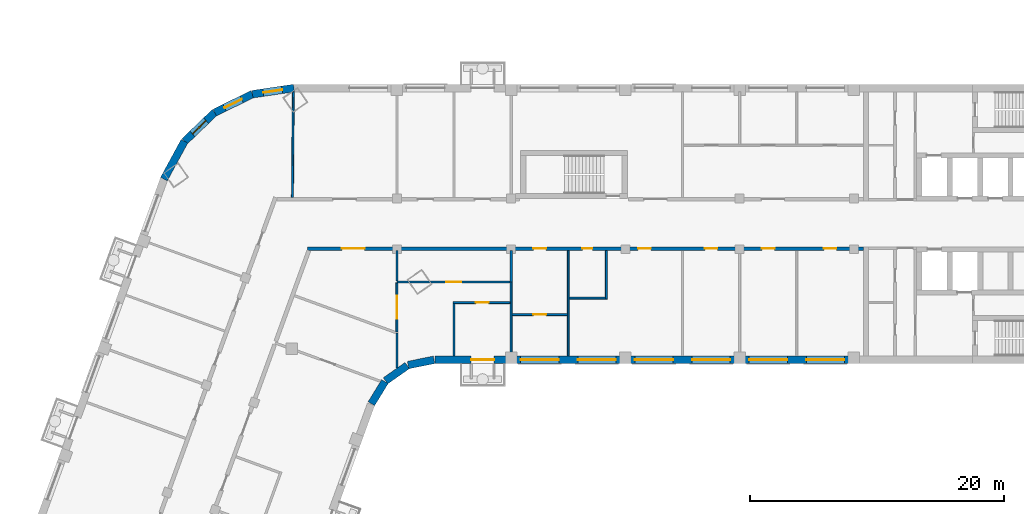
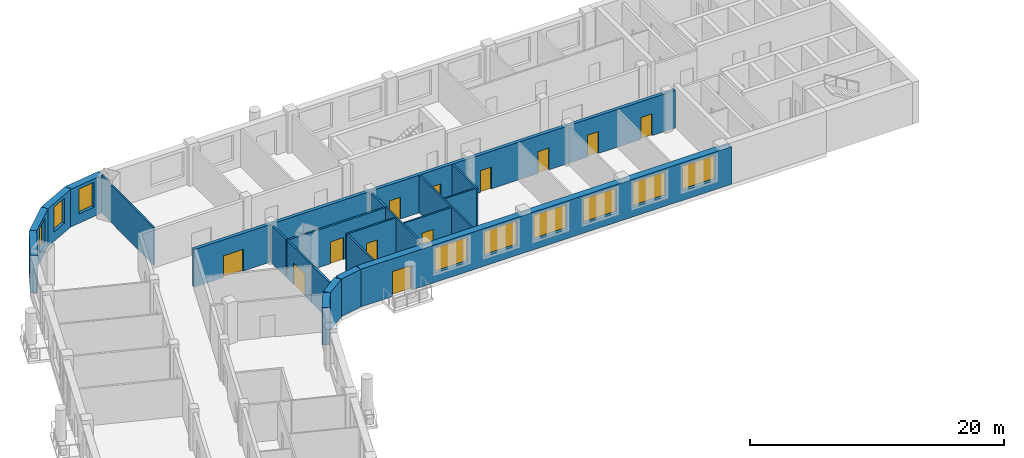
# One storey, part 4 of 16: 22 walls, 12 doors, 9 windows, 21 openings.
"""IFC4 building model written with IfcOpenShell, lengths in metres."""

from ifc_helpers import new_model, si_unit, direction, frame, frame_2d, origin, place, context, subcontext, project, spatial, rectangle, extrude, material, layer, layer_set, type_object, element, fill, save


model = new_model("IFC4")

# Units and contexts
model_context = context("Model", 3, precision=1e-05, world=origin(), true_north=direction((0.0, 1.0)))
body_context = subcontext(model_context, "Body", "Model", "MODEL_VIEW")
ifc_project = project(units=[si_unit("LENGTHUNIT", "METRE"), si_unit("AREAUNIT", "SQUARE_METRE"), si_unit("VOLUMEUNIT", "CUBIC_METRE"), si_unit("PLANEANGLEUNIT", "RADIAN"), si_unit("MASSUNIT", "GRAM", prefix="KILO")], contexts=[model_context])

# Site, building, storey
site_placement = place(None, origin())
site = spatial("IfcSite", under=ifc_project, at=site_placement, CompositionType="ELEMENT")
building_placement = place(site_placement, origin())
building = spatial("IfcBuilding", under=site, at=building_placement, Name="Skarvind Civic Tower", CompositionType="ELEMENT")
storey_placement = place(building_placement, frame((0.0, 0.0, 67.5)))
storey = spatial("IfcBuildingStorey", under=building, at=storey_placement, Name="L15", CompositionType="ELEMENT", Elevation=67.5)

# Walls
ifc_material_1 = material(Name="Acoustic gypsum board on steel studs", Category="steel")
ifc_layer_1 = layer(ifc_material_1, 0.175048828125)
ifc_layer_set_1 = layer_set([ifc_layer_1], Name="ACOUSTIC MEETING-ROOM PARTITION 175")
wall_type_1 = type_object("IfcWallType", Name="ACOUSTIC MEETING-ROOM PARTITION 175", PredefinedType="PARTITIONING", material=ifc_layer_set_1)
wall_1_placement = place(storey_placement, frame((54.25, 116.636962890625, 0.0), z_axis=(0.0, 0.0, 1.0), x_axis=(0.0, 1.0, 0.0)))
element("IfcWall", 1, at=wall_1_placement, inside=storey, type_object=wall_type_1, Name="Partition 15.020", PredefinedType="PARTITIONING", context=body_context, shape_type="SweptSolid", body=[
    extrude(rectangle(XDim=2.776123046875, YDim=0.175048828125, at=frame_2d((1.38818359375, 0.0))), origin(), (0.0, 0.0, 1.0), 3.625),
])
wall_2_placement = place(storey_placement, frame((54.25, 123.501953125, 0.0), z_axis=(0.0, 0.0, 1.0), x_axis=(0.0, 1.0, 0.0)))
element("IfcWall", 2, at=wall_2_placement, inside=storey, type_object=wall_type_1, Name="Partition 15.022", PredefinedType="PARTITIONING", context=body_context, shape_type="SweptSolid", body=[
    extrude(rectangle(XDim=2.39794921875, YDim=0.175048828125, at=frame_2d((1.198974609375, 0.0))), origin(), (0.0, 0.0, 1.0), 3.625),
])

# Wall, opening, door
wall_3_placement = place(storey_placement, frame((54.25, 123.429931640625, 0.0), z_axis=(0.0, 0.0, 1.0), x_axis=(1.0, 0.0, 0.0)))
wall_3 = element("IfcWall", 3, at=wall_3_placement, inside=storey, type_object=wall_type_1, Name="Partition 15.023", PredefinedType="PARTITIONING", context=body_context, shape_type="SweptSolid", body=[
    extrude(rectangle(XDim=8.912109375, YDim=0.175048828125, at=frame_2d((4.4560546875, 0.0))), origin(), (0.0, 0.0, 1.0), 3.625),
])
opening_1_placement = place(wall_3_placement, frame((3.865966796875, 0.0, 0.0)))
opening_1 = element("IfcOpeningElement", 4, at=opening_1_placement, cuts=wall_3, Name="Opening L15-D030", PredefinedType="OPENING", context=body_context, shape_type="SweptSolid", body=[
    extrude(rectangle(XDim=1.199951171875, YDim=2.10009765625, at=frame_2d((0.60009765625, 1.050048828125))), frame((0.0, 0.097412109375, 0.0), z_axis=(0.0, -1.0, 0.0), x_axis=(1.0, 0.0, 0.0)), (0.0, 0.0, 1.0), 0.195068359375),
])
ifc_material_2 = material(Name="Timber door leaf", Category="wood")
door_type_1 = type_object("IfcDoorType", Name="DOOR 1200X2100 DOUBLE TIMBER", OperationType="NOTDEFINED", PredefinedType="DOOR", material=ifc_material_2)
door_1_placement = place(opening_1_placement, origin())
door_1 = element("IfcDoor", 5, at=door_1_placement, inside=storey, type_object=door_type_1, Name="Door L15-D030", OperationType="DOUBLE_DOOR_SINGLE_SWING", OverallHeight=2.10009765625, OverallWidth=1.199951171875, PredefinedType="DOOR", context=body_context, shape_type="SweptSolid", body=[
    extrude(rectangle(XDim=1.199951171875, YDim=2.10009765625, at=frame_2d((0.60009765625, 1.050048828125))), frame((0.0, 0.02490234375, 0.0), z_axis=(0.0, -1.0, 0.0), x_axis=(1.0, 0.0, 0.0)), (0.0, 0.0, 1.0), 0.050048828125),
])
fill(opening_1, door_1)

# Wall
wall_4_placement = place(storey_placement, frame((63.25, 123.429931640625, 0.0), z_axis=(0.0, 0.0, 1.0), x_axis=(0.0, 1.0, 0.0)))
element("IfcWall", 6, at=wall_4_placement, inside=storey, type_object=wall_type_1, Name="Partition 15.031", PredefinedType="PARTITIONING", context=body_context, shape_type="SweptSolid", body=[
    extrude(rectangle(XDim=2.469970703125, YDim=0.175048828125, at=frame_2d((1.23486328125, 0.0))), origin(), (0.0, 0.0, 1.0), 3.625),
])

# Wall, openings, doors
ifc_material_3 = material(Name="Fire-rated gypsum board on steel studs", Category="steel")
ifc_layer_2 = layer(ifc_material_3, 0.300048828125)
ifc_layer_set_2 = layer_set([ifc_layer_2], Name="CORRIDOR WALL 300")
wall_type_2 = type_object("IfcWallType", Name="CORRIDOR WALL 300", PredefinedType="PARTITIONING", material=ifc_layer_set_2)
wall_5_placement = place(storey_placement, frame((91.0, 126.050048828125, 0.0), z_axis=(0.0, 0.0, 1.0), x_axis=(-1.0, 0.0, 0.0)))
wall_5 = element("IfcWall", 7, at=wall_5_placement, inside=storey, type_object=wall_type_2, Name="Partition 15.044", PredefinedType="PARTITIONING", context=body_context, shape_type="SweptSolid", body=[
    extrude(rectangle(XDim=43.784912109375, YDim=0.300048828125, at=frame_2d((21.892578125, 0.0))), origin(), (0.0, 0.0, 1.0), 3.625),
])
opening_2_placement = place(wall_5_placement, frame((2.125, 0.0, 0.0)))
opening_2 = element("IfcOpeningElement", 8, at=opening_2_placement, cuts=wall_5, Name="Opening L15-D008", PredefinedType="OPENING", context=body_context, shape_type="SweptSolid", body=[
    extrude(rectangle(XDim=1.0, YDim=2.10009765625, at=frame_2d((0.5, 1.050048828125))), frame((0.0, 0.159912109375, 0.0), z_axis=(0.0, -1.0, 0.0), x_axis=(1.0, 0.0, 0.0)), (0.0, 0.0, 1.0), 0.320068359375),
])
opening_3_placement = place(wall_5_placement, frame((7.0, 0.0, 0.0)))
opening_3 = element("IfcOpeningElement", 9, at=opening_3_placement, cuts=wall_5, Name="Opening L15-D009", PredefinedType="OPENING", context=body_context, shape_type="SweptSolid", body=[
    extrude(rectangle(XDim=1.0, YDim=2.10009765625, at=frame_2d((0.5, 1.050048828125))), frame((0.0, 0.159912109375, 0.0), z_axis=(0.0, -1.0, 0.0), x_axis=(1.0, 0.0, 0.0)), (0.0, 0.0, 1.0), 0.320068359375),
])
opening_4_placement = place(wall_5_placement, frame((11.5, 0.0, 0.0)))
opening_4 = element("IfcOpeningElement", 10, at=opening_4_placement, cuts=wall_5, Name="Opening L15-D010", PredefinedType="OPENING", context=body_context, shape_type="SweptSolid", body=[
    extrude(rectangle(XDim=1.0, YDim=2.10009765625, at=frame_2d((0.5, 1.050048828125))), frame((0.0, 0.159912109375, 0.0), z_axis=(0.0, -1.0, 0.0), x_axis=(1.0, 0.0, 0.0)), (0.0, 0.0, 1.0), 0.320068359375),
])
opening_5_placement = place(wall_5_placement, frame((21.35009765625, 0.0, 0.0)))
opening_5 = element("IfcOpeningElement", 11, at=opening_5_placement, cuts=wall_5, Name="Opening L15-D011", PredefinedType="OPENING", context=body_context, shape_type="SweptSolid", body=[
    extrude(rectangle(XDim=0.800048828125, YDim=2.10009765625, at=frame_2d((0.39990234375, 1.050048828125))), frame((0.0, 0.159912109375, 0.0), z_axis=(0.0, -1.0, 0.0), x_axis=(1.0, 0.0, 0.0)), (0.0, 0.0, 1.0), 0.320068359375),
])
opening_6_placement = place(wall_5_placement, frame((16.75, 0.0, 0.0)))
opening_6 = element("IfcOpeningElement", 12, at=opening_6_placement, cuts=wall_5, Name="Opening L15-D012", PredefinedType="OPENING", context=body_context, shape_type="SweptSolid", body=[
    extrude(rectangle(XDim=1.0, YDim=2.10009765625, at=frame_2d((0.5, 1.050048828125))), frame((0.0, 0.159912109375, 0.0), z_axis=(0.0, -1.0, 0.0), x_axis=(1.0, 0.0, 0.0)), (0.0, 0.0, 1.0), 0.320068359375),
])
opening_7_placement = place(wall_5_placement, frame((25.0, 0.0, 0.0)))
opening_7 = element("IfcOpeningElement", 13, at=opening_7_placement, cuts=wall_5, Name="Opening L15-D013", PredefinedType="OPENING", context=body_context, shape_type="SweptSolid", body=[
    extrude(rectangle(XDim=1.0, YDim=2.10009765625, at=frame_2d((0.5, 1.050048828125))), frame((0.0, 0.159912109375, 0.0), z_axis=(0.0, -1.0, 0.0), x_axis=(1.0, 0.0, 0.0)), (0.0, 0.0, 1.0), 0.320068359375),
])
opening_8_placement = place(wall_5_placement, frame((39.2958984375, 0.0, 0.0)))
opening_8 = element("IfcOpeningElement", 14, at=opening_8_placement, cuts=wall_5, Name="Opening L15-D029", PredefinedType="OPENING", context=body_context, shape_type="SweptSolid", body=[
    extrude(rectangle(XDim=1.800048828125, YDim=2.10009765625, at=frame_2d((0.89990234375, 1.050048828125))), frame((0.0, 0.159912109375, 0.0), z_axis=(0.0, -1.0, 0.0), x_axis=(1.0, 0.0, 0.0)), (0.0, 0.0, 1.0), 0.320068359375),
])
ifc_material_4 = material(Name="Fire-rated timber door leaf", Category="wood")
door_type_2 = type_object("IfcDoorType", Name="FD1 1000x2100", OperationType="NOTDEFINED", PredefinedType="DOOR", material=ifc_material_4)
door_2_placement = place(opening_2_placement, origin())
door_2 = element("IfcDoor", 15, at=door_2_placement, inside=storey, type_object=door_type_2, Name="Door L15-D008", OperationType="SINGLE_SWING_LEFT", OverallHeight=2.10009765625, OverallWidth=1.0, PredefinedType="DOOR", context=body_context, shape_type="SweptSolid", body=[
    extrude(rectangle(XDim=1.0, YDim=2.10009765625, at=frame_2d((0.5, 1.050048828125))), frame((0.0, 0.02490234375, 0.0), z_axis=(0.0, -1.0, 0.0), x_axis=(1.0, 0.0, 0.0)), (0.0, 0.0, 1.0), 0.050048828125),
])
fill(opening_2, door_2)
door_3_placement = place(opening_3_placement, origin())
door_3 = element("IfcDoor", 16, at=door_3_placement, inside=storey, type_object=door_type_2, Name="Door L15-D009", OperationType="SINGLE_SWING_RIGHT", OverallHeight=2.10009765625, OverallWidth=1.0, PredefinedType="DOOR", context=body_context, shape_type="SweptSolid", body=[
    extrude(rectangle(XDim=1.0, YDim=2.10009765625, at=frame_2d((0.5, 1.050048828125))), frame((0.0, 0.02490234375, 0.0), z_axis=(0.0, -1.0, 0.0), x_axis=(1.0, 0.0, 0.0)), (0.0, 0.0, 1.0), 0.050048828125),
])
fill(opening_3, door_3)
door_4_placement = place(opening_4_placement, origin())
door_4 = element("IfcDoor", 17, at=door_4_placement, inside=storey, type_object=door_type_2, Name="Door L15-D010", OperationType="SINGLE_SWING_LEFT", OverallHeight=2.10009765625, OverallWidth=1.0, PredefinedType="DOOR", context=body_context, shape_type="SweptSolid", body=[
    extrude(rectangle(XDim=1.0, YDim=2.10009765625, at=frame_2d((0.5, 1.050048828125))), frame((0.0, 0.02490234375, 0.0), z_axis=(0.0, -1.0, 0.0), x_axis=(1.0, 0.0, 0.0)), (0.0, 0.0, 1.0), 0.050048828125),
])
fill(opening_4, door_4)
door_5_placement = place(opening_6_placement, origin())
door_5 = element("IfcDoor", 18, at=door_5_placement, inside=storey, type_object=door_type_2, Name="Door L15-D012", OperationType="SINGLE_SWING_LEFT", OverallHeight=2.10009765625, OverallWidth=1.0, PredefinedType="DOOR", context=body_context, shape_type="SweptSolid", body=[
    extrude(rectangle(XDim=1.0, YDim=2.10009765625, at=frame_2d((0.5, 1.050048828125))), frame((0.0, 0.02490234375, 0.0), z_axis=(0.0, -1.0, 0.0), x_axis=(1.0, 0.0, 0.0)), (0.0, 0.0, 1.0), 0.050048828125),
])
fill(opening_6, door_5)
door_6_placement = place(opening_7_placement, origin())
door_6 = element("IfcDoor", 19, at=door_6_placement, inside=storey, type_object=door_type_2, Name="Door L15-D013", OperationType="SINGLE_SWING_LEFT", OverallHeight=2.10009765625, OverallWidth=1.0, PredefinedType="DOOR", context=body_context, shape_type="SweptSolid", body=[
    extrude(rectangle(XDim=1.0, YDim=2.10009765625, at=frame_2d((0.5, 1.050048828125))), frame((0.0, 0.02490234375, 0.0), z_axis=(0.0, -1.0, 0.0), x_axis=(1.0, 0.0, 0.0)), (0.0, 0.0, 1.0), 0.050048828125),
])
fill(opening_7, door_6)
door_type_3 = type_object("IfcDoorType", Name="FD4 1800x2100", OperationType="NOTDEFINED", PredefinedType="DOOR", material=ifc_material_4)
door_7_placement = place(opening_8_placement, origin())
door_7 = element("IfcDoor", 20, at=door_7_placement, inside=storey, type_object=door_type_3, Name="Door L15-D029", OperationType="DOUBLE_DOOR_SINGLE_SWING", OverallHeight=2.10009765625, OverallWidth=1.800048828125, PredefinedType="DOOR", context=body_context, shape_type="SweptSolid", body=[
    extrude(rectangle(XDim=1.800048828125, YDim=2.10009765625, at=frame_2d((0.89990234375, 1.050048828125))), frame((0.0, 0.02490234375, 0.0), z_axis=(0.0, -1.0, 0.0), x_axis=(1.0, 0.0, 0.0)), (0.0, 0.0, 1.0), 0.050048828125),
])
fill(opening_8, door_7)
door_type_4 = type_object("IfcDoorType", Name="FD5 800x2100", OperationType="NOTDEFINED", PredefinedType="DOOR", material=ifc_material_4)
door_8_placement = place(opening_5_placement, origin())
door_8 = element("IfcDoor", 21, at=door_8_placement, inside=storey, type_object=door_type_4, Name="Door L15-D011", OperationType="SINGLE_SWING_LEFT", OverallHeight=2.10009765625, OverallWidth=0.800048828125, PredefinedType="DOOR", context=body_context, shape_type="SweptSolid", body=[
    extrude(rectangle(XDim=0.800048828125, YDim=2.10009765625, at=frame_2d((0.39990234375, 1.050048828125))), frame((0.0, 0.02490234375, 0.0), z_axis=(0.0, -1.0, 0.0), x_axis=(1.0, 0.0, 0.0)), (0.0, 0.0, 1.0), 0.050048828125),
])
fill(opening_5, door_8)

# Wall
ifc_material_5 = material(Name="Plasterboard partition on steel studs", Category="steel")
ifc_layer_3 = layer(ifc_material_5, 0.14990234375)
ifc_layer_set_3 = layer_set([ifc_layer_3], Name="PARTITION 150")
wall_type_3 = type_object("IfcWallType", Name="PARTITION 150", PredefinedType="PARTITIONING", material=ifc_layer_set_3)
wall_6_placement = place(storey_placement, frame((46.090087890625, 138.39306640625, 0.0), z_axis=(0.0, 0.0, 1.0), x_axis=(-0.008684316879, -0.999962290609, 0.0)))
element("IfcWall", 22, at=wall_6_placement, inside=storey, type_object=wall_type_3, Name="Partition 15.018", PredefinedType="PARTITIONING", context=body_context, shape_type="SweptSolid", body=[
    extrude(rectangle(XDim=8.293212890625, YDim=0.14990234375, at=frame_2d((4.146484375, 0.0))), origin(), (0.0, 0.0, 1.0), 3.625),
])

# Wall, opening, door
wall_7_placement = place(storey_placement, frame((54.25, 119.498046875, 0.0), z_axis=(0.0, 0.0, 1.0), x_axis=(0.0, 1.0, 0.0)))
wall_7 = element("IfcWall", 23, at=wall_7_placement, inside=storey, type_object=wall_type_3, Name="Partition 15.024", PredefinedType="PARTITIONING", context=body_context, shape_type="SweptSolid", body=[
    extrude(rectangle(XDim=3.847900390625, YDim=0.14990234375, at=frame_2d((1.923828125, 0.0))), origin(), (0.0, 0.0, 1.0), 3.625),
])
opening_9_placement = place(wall_7_placement, frame((1.02392578125, 0.0, 0.0)))
opening_9 = element("IfcOpeningElement", 24, at=opening_9_placement, cuts=wall_7, Name="Opening L15-D016", PredefinedType="OPENING", context=body_context, shape_type="SweptSolid", body=[
    extrude(rectangle(XDim=1.800048828125, YDim=2.10009765625, at=frame_2d((0.89990234375, 1.050048828125))), frame((0.0, 0.0849609375, 0.0), z_axis=(0.0, -1.0, 0.0), x_axis=(1.0, 0.0, 0.0)), (0.0, 0.0, 1.0), 0.169921875),
])
door_type_5 = type_object("IfcDoorType", Name="D4 1800x2100", OperationType="NOTDEFINED", PredefinedType="DOOR", material=ifc_material_2)
door_9_placement = place(opening_9_placement, origin())
door_9 = element("IfcDoor", 25, at=door_9_placement, inside=storey, type_object=door_type_5, Name="Door L15-D016", OperationType="DOUBLE_DOOR_SINGLE_SWING", OverallHeight=2.10009765625, OverallWidth=1.800048828125, PredefinedType="DOOR", context=body_context, shape_type="SweptSolid", body=[
    extrude(rectangle(XDim=1.800048828125, YDim=2.10009765625, at=frame_2d((0.89990234375, 1.050048828125))), frame((0.0, 0.02490234375, 0.0), z_axis=(0.0, -1.0, 0.0), x_axis=(1.0, 0.0, 0.0)), (0.0, 0.0, 1.0), 0.050048828125),
])
fill(opening_9, door_9)

# Walls
wall_8_placement = place(storey_placement, frame((58.75, 117.60009765625, 0.0), z_axis=(0.0, 0.0, 1.0), x_axis=(0.0, 1.0, 0.0)))
element("IfcWall", 26, at=wall_8_placement, inside=storey, type_object=wall_type_3, Name="Partition 15.026", PredefinedType="PARTITIONING", context=body_context, shape_type="SweptSolid", body=[
    extrude(rectangle(XDim=4.125, YDim=0.14990234375, at=frame_2d((2.0625, 0.0))), origin(), (0.0, 0.0, 1.0), 3.625),
])
wall_9_placement = place(storey_placement, frame((63.25, 117.60009765625, 0.0), z_axis=(0.0, 0.0, 1.0), x_axis=(0.0, 1.0, 0.0)))
element("IfcWall", 27, at=wall_9_placement, inside=storey, type_object=wall_type_3, Name="Partition 15.028", PredefinedType="PARTITIONING", context=body_context, shape_type="SweptSolid", body=[
    extrude(rectangle(XDim=5.829833984375, YDim=0.14990234375, at=frame_2d((2.9150390625, 0.0))), origin(), (0.0, 0.0, 1.0), 3.625),
])

# Wall, opening, door
wall_10_placement = place(storey_placement, frame((63.324951171875, 120.85009765625, 0.0), z_axis=(0.0, 0.0, 1.0), x_axis=(1.0, 0.0, 0.0)))
wall_10 = element("IfcWall", 28, at=wall_10_placement, inside=storey, type_object=wall_type_3, Name="Partition 15.029", PredefinedType="PARTITIONING", context=body_context, shape_type="SweptSolid", body=[
    extrude(rectangle(XDim=4.35009765625, YDim=0.14990234375, at=frame_2d((2.175048828125, 0.0))), origin(), (0.0, 0.0, 1.0), 3.625),
])
opening_10_placement = place(wall_10_placement, frame((1.675048828125, 0.0, 0.0)))
opening_10 = element("IfcOpeningElement", 29, at=opening_10_placement, cuts=wall_10, Name="Opening L15-D015", PredefinedType="OPENING", context=body_context, shape_type="SweptSolid", body=[
    extrude(rectangle(XDim=1.0, YDim=2.10009765625, at=frame_2d((0.5, 1.050048828125))), frame((0.0, 0.0849609375, 0.0), z_axis=(0.0, -1.0, 0.0), x_axis=(1.0, 0.0, 0.0)), (0.0, 0.0, 1.0), 0.169921875),
])
door_type_6 = type_object("IfcDoorType", Name="D1 1000x2100", OperationType="NOTDEFINED", PredefinedType="DOOR", material=ifc_material_2)
door_10_placement = place(opening_10_placement, origin())
door_10 = element("IfcDoor", 30, at=door_10_placement, inside=storey, type_object=door_type_6, Name="Door L15-D015", OperationType="SINGLE_SWING_LEFT", OverallHeight=2.10009765625, OverallWidth=1.0, PredefinedType="DOOR", context=body_context, shape_type="SweptSolid", body=[
    extrude(rectangle(XDim=1.0, YDim=2.10009765625, at=frame_2d((0.5, 1.050048828125))), frame((0.0, 0.02490234375, 0.0), z_axis=(0.0, -1.0, 0.0), x_axis=(1.0, 0.0, 0.0)), (0.0, 0.0, 1.0), 0.050048828125),
])
fill(opening_10, door_10)

wall_11_placement = place(storey_placement, frame((58.675048828125, 121.800048828125, 0.0), z_axis=(0.0, 0.0, 1.0), x_axis=(1.0, 0.0, 0.0)))
wall_11 = element("IfcWall", 31, at=wall_11_placement, inside=storey, type_object=wall_type_3, Name="Partition 15.030", PredefinedType="PARTITIONING", context=body_context, shape_type="SweptSolid", body=[
    extrude(rectangle(XDim=4.5, YDim=0.14990234375, at=frame_2d((2.25, 0.0))), origin(), (0.0, 0.0, 1.0), 3.625),
])
opening_11_placement = place(wall_11_placement, frame((1.797607421875, 0.0, 0.0)))
opening_11 = element("IfcOpeningElement", 32, at=opening_11_placement, cuts=wall_11, Name="Opening L15-D014", PredefinedType="OPENING", context=body_context, shape_type="SweptSolid", body=[
    extrude(rectangle(XDim=1.0, YDim=2.10009765625, at=frame_2d((0.5, 1.050048828125))), frame((0.0, 0.0849609375, 0.0), z_axis=(0.0, -1.0, 0.0), x_axis=(1.0, 0.0, 0.0)), (0.0, 0.0, 1.0), 0.169921875),
])
door_11_placement = place(opening_11_placement, origin())
door_11 = element("IfcDoor", 33, at=door_11_placement, inside=storey, type_object=door_type_6, Name="Door L15-D014", OperationType="SINGLE_SWING_LEFT", OverallHeight=2.10009765625, OverallWidth=1.0, PredefinedType="DOOR", context=body_context, shape_type="SweptSolid", body=[
    extrude(rectangle(XDim=1.0, YDim=2.10009765625, at=frame_2d((0.5, 1.050048828125))), frame((0.0, 0.02490234375, 0.0), z_axis=(0.0, -1.0, 0.0), x_axis=(1.0, 0.0, 0.0)), (0.0, 0.0, 1.0), 0.050048828125),
])
fill(opening_11, door_11)

# Walls
wall_12_placement = place(storey_placement, frame((67.75, 117.60009765625, 0.0), z_axis=(0.0, 0.0, 1.0), x_axis=(0.0, 1.0, 0.0)))
element("IfcWall", 34, at=wall_12_placement, inside=storey, type_object=wall_type_3, Name="Partition 15.033", PredefinedType="PARTITIONING", context=body_context, shape_type="SweptSolid", body=[
    extrude(rectangle(XDim=8.2998046875, YDim=0.14990234375, at=frame_2d((4.14990234375, 0.0))), origin(), (0.0, 0.0, 1.0), 3.625),
])
wall_13_placement = place(storey_placement, frame((70.675048828125, 122.14990234375, 0.0), z_axis=(0.0, 0.0, 1.0), x_axis=(-1.0, 0.0, 0.0)))
element("IfcWall", 35, at=wall_13_placement, inside=storey, type_object=wall_type_3, Name="Partition 15.034", PredefinedType="PARTITIONING", context=body_context, shape_type="SweptSolid", body=[
    extrude(rectangle(XDim=2.85009765625, YDim=0.14990234375, at=frame_2d((1.425048828125, 0.0))), origin(), (0.0, 0.0, 1.0), 3.625),
])
wall_14_placement = place(storey_placement, frame((70.75, 125.89990234375, 0.0), z_axis=(0.0, 0.0, 1.0), x_axis=(0.0, -1.0, 0.0)))
element("IfcWall", 36, at=wall_14_placement, inside=storey, type_object=wall_type_3, Name="Partition 15.035", PredefinedType="PARTITIONING", context=body_context, shape_type="SweptSolid", body=[
    extrude(rectangle(XDim=3.824951171875, YDim=0.14990234375, at=frame_2d((1.91259765625, 0.0))), origin(), (0.0, 0.0, 1.0), 3.625),
])
ifc_material_6 = material(Name="Limestone masonry cladding on insulated backing", Category="masonry")
ifc_layer_4 = layer(ifc_material_6, 0.60009765625)
ifc_layer_set_4 = layer_set([ifc_layer_4], Name="WX1 STONE FACADE WALL 600")
wall_type_4 = type_object("IfcWallType", Name="WX1 STONE FACADE WALL 600", PredefinedType="SOLIDWALL", material=ifc_layer_set_4)
wall_15_placement = place(storey_placement, frame((53.30517578125, 115.578369140625, 0.0), z_axis=(0.0, 0.0, 1.0), x_axis=(-0.522402266438, -0.852699168535, 0.0)))
element("IfcWall", 37, at=wall_15_placement, inside=storey, type_object=wall_type_4, Name="STONE FACADE WALL", PredefinedType="SOLIDWALL", context=body_context, shape_type="SweptSolid", body=[
    extrude(rectangle(XDim=2.042236328125, YDim=0.60009765625, at=frame_2d((1.02099609375, 0.0))), origin(), (0.0, 0.0, 1.0), 3.625),
])
for number, where, z_axis, x_axis, name in (
    (38, (55.061767578125, 116.8388671875, 0.0), (0.0, 0.0, 1.0), (-0.819122269495, -0.573618956815, 0.0), "STONE FACADE WALL"),
    (39, (57.17529296875, 117.2939453125, 0.0), (0.0, 0.0, 1.0), (-0.97996099083, -0.19918949885, 0.0), "STONE FACADE WALL"),
):
    element("IfcWall", number, at=place(storey_placement, frame(where, z_axis=z_axis, x_axis=x_axis)), inside=storey, type_object=wall_type_4, Name=name, PredefinedType="SOLIDWALL", context=body_context, shape_type="SweptSolid", body=[
        extrude(rectangle(XDim=2.09228515625, YDim=0.60009765625, at=frame_2d((1.046142578125, 0.0))), origin(), (0.0, 0.0, 1.0), 3.625),
    ])

# Wall, openings, door, windows
wall_16_placement = place(storey_placement, frame((90.97998046875, 117.300048828125, 0.0), z_axis=(0.0, 0.0, 1.0), x_axis=(-1.0, 0.0, 0.0)))
wall_16 = element("IfcWall", 40, at=wall_16_placement, inside=storey, type_object=wall_type_4, Name="STONE FACADE WALL", PredefinedType="SOLIDWALL", context=body_context, shape_type="SweptSolid", body=[
    extrude(rectangle(XDim=33.744873046875, YDim=0.60009765625, at=frame_2d((16.87255859375, 0.0))), origin(), (0.0, 0.0, 1.0), 3.625),
])
opening_12_placement = place(wall_16_placement, frame((1.47998046875, 0.0, 0.89990234375)))
opening_12 = element("IfcOpeningElement", 41, at=opening_12_placement, cuts=wall_16, Name="Opening WN1", PredefinedType="OPENING", context=body_context, shape_type="SweptSolid", body=[
    extrude(rectangle(XDim=3.0, YDim=2.39990234375, at=frame_2d((1.5, 1.199951171875))), frame((0.0, 0.31005859375, 0.0), z_axis=(0.0, -1.0, 0.0), x_axis=(1.0, 0.0, 0.0)), (0.0, 0.0, 1.0), 0.6201171875),
])
opening_13_placement = place(wall_16_placement, frame((5.97998046875, 0.0, 0.89990234375)))
opening_13 = element("IfcOpeningElement", 42, at=opening_13_placement, cuts=wall_16, Name="Opening WN1", PredefinedType="OPENING", context=body_context, shape_type="SweptSolid", body=[
    extrude(rectangle(XDim=3.0, YDim=2.39990234375, at=frame_2d((1.5, 1.199951171875))), frame((0.0, 0.31005859375, 0.0), z_axis=(0.0, -1.0, 0.0), x_axis=(1.0, 0.0, 0.0)), (0.0, 0.0, 1.0), 0.6201171875),
])
opening_14_placement = place(wall_16_placement, frame((10.47998046875, 0.0, 0.89990234375)))
opening_14 = element("IfcOpeningElement", 43, at=opening_14_placement, cuts=wall_16, Name="Opening WN1", PredefinedType="OPENING", context=body_context, shape_type="SweptSolid", body=[
    extrude(rectangle(XDim=3.0, YDim=2.39990234375, at=frame_2d((1.5, 1.199951171875))), frame((0.0, 0.31005859375, 0.0), z_axis=(0.0, -1.0, 0.0), x_axis=(1.0, 0.0, 0.0)), (0.0, 0.0, 1.0), 0.6201171875),
])
opening_15_placement = place(wall_16_placement, frame((14.97998046875, 0.0, 0.89990234375)))
opening_15 = element("IfcOpeningElement", 44, at=opening_15_placement, cuts=wall_16, Name="Opening WN1", PredefinedType="OPENING", context=body_context, shape_type="SweptSolid", body=[
    extrude(rectangle(XDim=3.0, YDim=2.39990234375, at=frame_2d((1.5, 1.199951171875))), frame((0.0, 0.31005859375, 0.0), z_axis=(0.0, -1.0, 0.0), x_axis=(1.0, 0.0, 0.0)), (0.0, 0.0, 1.0), 0.6201171875),
])
opening_16_placement = place(wall_16_placement, frame((19.47998046875, 0.0, 0.89990234375)))
opening_16 = element("IfcOpeningElement", 45, at=opening_16_placement, cuts=wall_16, Name="Opening WN1", PredefinedType="OPENING", context=body_context, shape_type="SweptSolid", body=[
    extrude(rectangle(XDim=3.0, YDim=2.39990234375, at=frame_2d((1.5, 1.199951171875))), frame((0.0, 0.31005859375, 0.0), z_axis=(0.0, -1.0, 0.0), x_axis=(1.0, 0.0, 0.0)), (0.0, 0.0, 1.0), 0.6201171875),
])
opening_17_placement = place(wall_16_placement, frame((23.97998046875, 0.0, 0.89990234375)))
opening_17 = element("IfcOpeningElement", 46, at=opening_17_placement, cuts=wall_16, Name="Opening WN1", PredefinedType="OPENING", context=body_context, shape_type="SweptSolid", body=[
    extrude(rectangle(XDim=3.0, YDim=2.39990234375, at=frame_2d((1.5, 1.199951171875))), frame((0.0, 0.31005859375, 0.0), z_axis=(0.0, -1.0, 0.0), x_axis=(1.0, 0.0, 0.0)), (0.0, 0.0, 1.0), 0.6201171875),
])
opening_18_placement = place(wall_16_placement, frame((29.080078125, 0.0, 0.0)))
opening_18 = element("IfcOpeningElement", 47, at=opening_18_placement, cuts=wall_16, Name="Opening DX3", PredefinedType="OPENING", context=body_context, shape_type="SweptSolid", body=[
    extrude(rectangle(XDim=1.800048828125, YDim=2.39990234375, at=frame_2d((0.89990234375, 1.199951171875))), frame((0.0, 0.31005859375, 0.0), z_axis=(0.0, -1.0, 0.0), x_axis=(1.0, 0.0, 0.0)), (0.0, 0.0, 1.0), 0.6201171875),
])
ifc_material_7 = material(Name="Timber and glass doorset", Category="wood")
door_type_7 = type_object("IfcDoorType", Name="DX3 TERRACE DOORS 1800 x 2400", OperationType="NOTDEFINED", PredefinedType="DOOR", material=ifc_material_7)
door_12_placement = place(opening_18_placement, origin())
door_12 = element("IfcDoor", 48, at=door_12_placement, inside=storey, type_object=door_type_7, Name="TERRACE DOORS", OperationType="DOUBLE_DOOR_SINGLE_SWING", OverallHeight=2.39990234375, OverallWidth=1.800048828125, PredefinedType="DOOR", context=body_context, shape_type="SweptSolid", body=[
    extrude(rectangle(XDim=1.800048828125, YDim=2.39990234375, at=frame_2d((0.89990234375, 1.199951171875))), frame((0.0, 0.02490234375, 0.0), z_axis=(0.0, -1.0, 0.0), x_axis=(1.0, 0.0, 0.0)), (0.0, 0.0, 1.0), 0.050048828125),
])
fill(opening_18, door_12)
ifc_material_8 = material(Name="Timber frame, double glazing, timber-lined reveal", Category="wood")
window_type_1 = type_object("IfcWindowType", Name="WN1 PUNCHED STONE WINDOW 3000 x 2400", PartitioningType="SINGLE_PANEL", PredefinedType="WINDOW", material=ifc_material_8)
window_1_placement = place(opening_12_placement, origin())
window_1 = element("IfcWindow", 49, at=window_1_placement, inside=storey, type_object=window_type_1, Name="WN1 WINDOW", OverallHeight=2.39990234375, OverallWidth=3.0, PartitioningType="SINGLE_PANEL", PredefinedType="WINDOW", context=body_context, shape_type="SweptSolid", body=[
    extrude(rectangle(XDim=3.0, YDim=2.39990234375, at=frame_2d((1.5, 1.199951171875))), frame((0.0, 0.030029296875, 0.0), z_axis=(0.0, -1.0, 0.0), x_axis=(1.0, 0.0, 0.0)), (0.0, 0.0, 1.0), 0.06005859375),
])
fill(opening_12, window_1)
window_2_placement = place(opening_13_placement, origin())
window_2 = element("IfcWindow", 50, at=window_2_placement, inside=storey, type_object=window_type_1, Name="WN1 WINDOW", OverallHeight=2.39990234375, OverallWidth=3.0, PartitioningType="SINGLE_PANEL", PredefinedType="WINDOW", context=body_context, shape_type="SweptSolid", body=[
    extrude(rectangle(XDim=3.0, YDim=2.39990234375, at=frame_2d((1.5, 1.199951171875))), frame((0.0, 0.030029296875, 0.0), z_axis=(0.0, -1.0, 0.0), x_axis=(1.0, 0.0, 0.0)), (0.0, 0.0, 1.0), 0.06005859375),
])
fill(opening_13, window_2)
window_3_placement = place(opening_14_placement, origin())
window_3 = element("IfcWindow", 51, at=window_3_placement, inside=storey, type_object=window_type_1, Name="WN1 WINDOW", OverallHeight=2.39990234375, OverallWidth=3.0, PartitioningType="SINGLE_PANEL", PredefinedType="WINDOW", context=body_context, shape_type="SweptSolid", body=[
    extrude(rectangle(XDim=3.0, YDim=2.39990234375, at=frame_2d((1.5, 1.199951171875))), frame((0.0, 0.030029296875, 0.0), z_axis=(0.0, -1.0, 0.0), x_axis=(1.0, 0.0, 0.0)), (0.0, 0.0, 1.0), 0.06005859375),
])
fill(opening_14, window_3)
window_4_placement = place(opening_15_placement, origin())
window_4 = element("IfcWindow", 52, at=window_4_placement, inside=storey, type_object=window_type_1, Name="WN1 WINDOW", OverallHeight=2.39990234375, OverallWidth=3.0, PartitioningType="SINGLE_PANEL", PredefinedType="WINDOW", context=body_context, shape_type="SweptSolid", body=[
    extrude(rectangle(XDim=3.0, YDim=2.39990234375, at=frame_2d((1.5, 1.199951171875))), frame((0.0, 0.030029296875, 0.0), z_axis=(0.0, -1.0, 0.0), x_axis=(1.0, 0.0, 0.0)), (0.0, 0.0, 1.0), 0.06005859375),
])
fill(opening_15, window_4)
window_5_placement = place(opening_16_placement, origin())
window_5 = element("IfcWindow", 53, at=window_5_placement, inside=storey, type_object=window_type_1, Name="WN1 WINDOW", OverallHeight=2.39990234375, OverallWidth=3.0, PartitioningType="SINGLE_PANEL", PredefinedType="WINDOW", context=body_context, shape_type="SweptSolid", body=[
    extrude(rectangle(XDim=3.0, YDim=2.39990234375, at=frame_2d((1.5, 1.199951171875))), frame((0.0, 0.030029296875, 0.0), z_axis=(0.0, -1.0, 0.0), x_axis=(1.0, 0.0, 0.0)), (0.0, 0.0, 1.0), 0.06005859375),
])
fill(opening_16, window_5)
window_6_placement = place(opening_17_placement, origin())
window_6 = element("IfcWindow", 54, at=window_6_placement, inside=storey, type_object=window_type_1, Name="WN1 WINDOW", OverallHeight=2.39990234375, OverallWidth=3.0, PartitioningType="SINGLE_PANEL", PredefinedType="WINDOW", context=body_context, shape_type="SweptSolid", body=[
    extrude(rectangle(XDim=3.0, YDim=2.39990234375, at=frame_2d((1.5, 1.199951171875))), frame((0.0, 0.030029296875, 0.0), z_axis=(0.0, -1.0, 0.0), x_axis=(1.0, 0.0, 0.0)), (0.0, 0.0, 1.0), 0.06005859375),
])
fill(opening_17, window_6)

# Wall, opening, window
wall_17_placement = place(storey_placement, frame((42.872802734375, 138.21728515625, 0.0), z_axis=(0.0, 0.0, 1.0), x_axis=(0.989110792192, 0.14717282619, 0.0)))
wall_17 = element("IfcWall", 55, at=wall_17_placement, inside=storey, type_object=wall_type_4, Name="STONE FACADE WALL", PredefinedType="SOLIDWALL", context=body_context, shape_type="SweptSolid", body=[
    extrude(rectangle(XDim=3.302734375, YDim=0.60009765625, at=frame_2d((1.6513671875, 0.0))), origin(), (0.0, 0.0, 1.0), 3.625),
])
opening_19_placement = place(wall_17_placement, frame((0.8564453125, 0.0, 0.89990234375)))
opening_19 = element("IfcOpeningElement", 56, at=opening_19_placement, cuts=wall_17, Name="Opening WN8", PredefinedType="OPENING", context=body_context, shape_type="SweptSolid", body=[
    extrude(rectangle(XDim=1.5, YDim=2.39990234375, at=frame_2d((0.75, 1.199951171875))), frame((0.0, 0.31005859375, 0.0), z_axis=(0.0, -1.0, 0.0), x_axis=(1.0, 0.0, 0.0)), (0.0, 0.0, 1.0), 0.6201171875),
])
window_type_2 = type_object("IfcWindowType", Name="WN8 ARC BAY WINDOW 1500 x 2400", PartitioningType="SINGLE_PANEL", PredefinedType="WINDOW", material=ifc_material_8)
window_7_placement = place(opening_19_placement, origin())
window_7 = element("IfcWindow", 57, at=window_7_placement, inside=storey, type_object=window_type_2, Name="WN8 WINDOW", OverallHeight=2.39990234375, OverallWidth=1.5, PartitioningType="SINGLE_PANEL", PredefinedType="WINDOW", context=body_context, shape_type="SweptSolid", body=[
    extrude(rectangle(XDim=1.5, YDim=2.39990234375, at=frame_2d((0.75, 1.199951171875))), frame((0.0, 0.030029296875, 0.0), z_axis=(0.0, -1.0, 0.0), x_axis=(1.0, 0.0, 0.0)), (0.0, 0.0, 1.0), 0.06005859375),
])
fill(opening_19, window_7)

wall_18_placement = place(storey_placement, frame((39.9072265625, 136.77587890625, 0.0), z_axis=(0.0, 0.0, 1.0), x_axis=(0.89761231107, 0.440785819889, 0.0)))
wall_18 = element("IfcWall", 58, at=wall_18_placement, inside=storey, type_object=wall_type_4, Name="STONE FACADE WALL", PredefinedType="SOLIDWALL", context=body_context, shape_type="SweptSolid", body=[
    extrude(rectangle(XDim=3.302734375, YDim=0.60009765625, at=frame_2d((1.6513671875, 0.0))), origin(), (0.0, 0.0, 1.0), 3.625),
])
opening_20_placement = place(wall_18_placement, frame((0.8564453125, 0.0, 0.89990234375)))
opening_20 = element("IfcOpeningElement", 59, at=opening_20_placement, cuts=wall_18, Name="Opening WN8", PredefinedType="OPENING", context=body_context, shape_type="SweptSolid", body=[
    extrude(rectangle(XDim=1.5, YDim=2.39990234375, at=frame_2d((0.75, 1.199951171875))), frame((0.0, 0.31005859375, 0.0), z_axis=(0.0, -1.0, 0.0), x_axis=(1.0, 0.0, 0.0)), (0.0, 0.0, 1.0), 0.6201171875),
])
window_8_placement = place(opening_20_placement, origin())
window_8 = element("IfcWindow", 60, at=window_8_placement, inside=storey, type_object=window_type_2, Name="WN8 WINDOW", OverallHeight=2.39990234375, OverallWidth=1.5, PartitioningType="SINGLE_PANEL", PredefinedType="WINDOW", context=body_context, shape_type="SweptSolid", body=[
    extrude(rectangle(XDim=1.5, YDim=2.39990234375, at=frame_2d((0.75, 1.199951171875))), frame((0.0, 0.030029296875, 0.0), z_axis=(0.0, -1.0, 0.0), x_axis=(1.0, 0.0, 0.0)), (0.0, 0.0, 1.0), 0.06005859375),
])
fill(opening_20, window_8)

wall_19_placement = place(storey_placement, frame((37.520263671875, 134.501220703125, 0.0), z_axis=(0.0, 0.0, 1.0), x_axis=(0.72115684486, 0.692771827596, 0.0)))
wall_19 = element("IfcWall", 61, at=wall_19_placement, inside=storey, type_object=wall_type_4, Name="STONE FACADE WALL", PredefinedType="SOLIDWALL", context=body_context, shape_type="SweptSolid", body=[
    extrude(rectangle(XDim=3.302734375, YDim=0.60009765625, at=frame_2d((1.6513671875, 0.0))), origin(), (0.0, 0.0, 1.0), 3.625),
])
opening_21_placement = place(wall_19_placement, frame((0.8564453125, 0.0, 0.89990234375)))
opening_21 = element("IfcOpeningElement", 62, at=opening_21_placement, cuts=wall_19, Name="Opening WN8", PredefinedType="OPENING", context=body_context, shape_type="SweptSolid", body=[
    extrude(rectangle(XDim=1.5, YDim=2.39990234375, at=frame_2d((0.75, 1.199951171875))), frame((0.0, 0.31005859375, 0.0), z_axis=(0.0, -1.0, 0.0), x_axis=(1.0, 0.0, 0.0)), (0.0, 0.0, 1.0), 0.6201171875),
])
window_9_placement = place(opening_21_placement, origin())
window_9 = element("IfcWindow", 63, at=window_9_placement, inside=storey, type_object=window_type_2, Name="WN8 WINDOW", OverallHeight=2.39990234375, OverallWidth=1.5, PartitioningType="SINGLE_PANEL", PredefinedType="WINDOW", context=body_context, shape_type="SweptSolid", body=[
    extrude(rectangle(XDim=1.5, YDim=2.39990234375, at=frame_2d((0.75, 1.199951171875))), frame((0.0, 0.030029296875, 0.0), z_axis=(0.0, -1.0, 0.0), x_axis=(1.0, 0.0, 0.0)), (0.0, 0.0, 1.0), 0.06005859375),
])
fill(opening_21, window_9)

# Wall
wall_20_placement = place(storey_placement, frame((35.89453125, 131.529541015625, 0.0), z_axis=(0.0, 0.0, 1.0), x_axis=(0.476531180538, 0.879157570618, 0.0)))
element("IfcWall", 64, at=wall_20_placement, inside=storey, type_object=wall_type_4, Name="STONE FACADE WALL", PredefinedType="SOLIDWALL", context=body_context, shape_type="SweptSolid", body=[
    extrude(rectangle(XDim=3.392578125, YDim=0.60009765625, at=frame_2d((1.6962890625, 0.0))), origin(), (0.0, 0.0, 1.0), 3.625),
])

save(model, "model.ifc")
